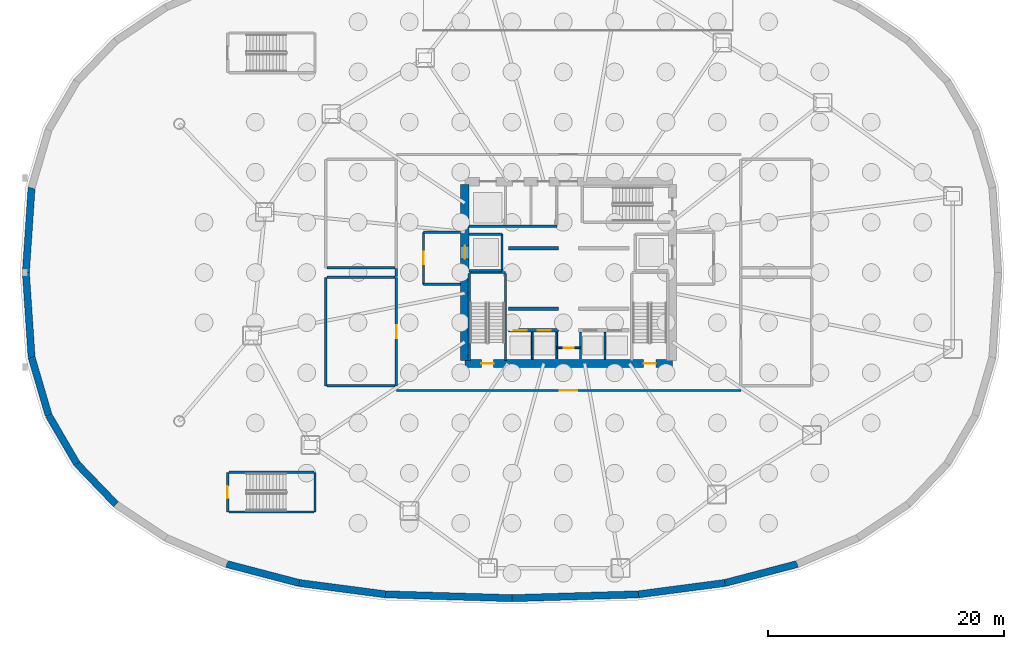
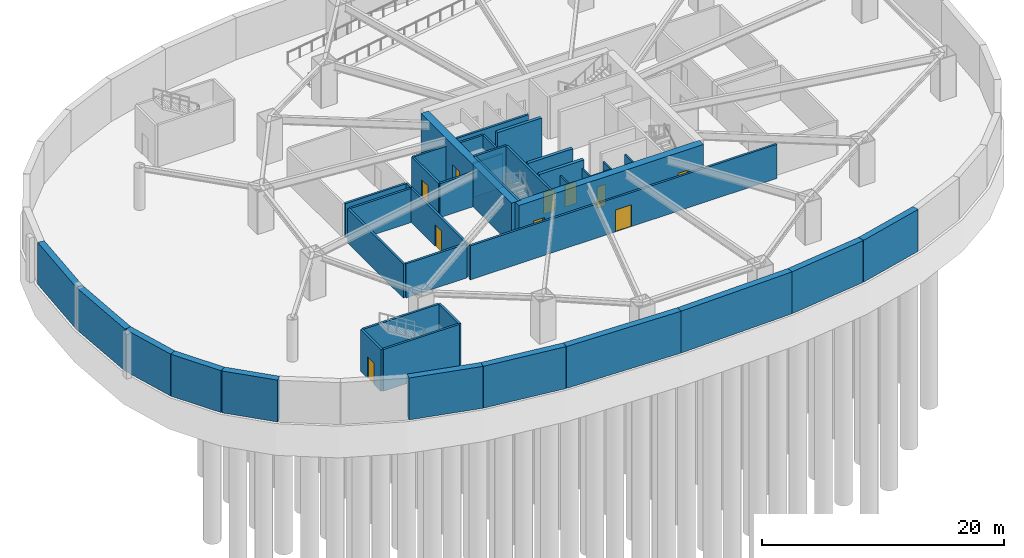
# One storey, part 3 of 10: 42 walls, 10 doors, 10 openings.
"""IFC4 building model written with IfcOpenShell, lengths in metres."""

from ifc_helpers import new_model, si_unit, direction, frame, frame_2d, origin, place, context, subcontext, project, spatial, rectangle, extrude, source, transform, mapped, material, layer, layer_set, type_object, element, fill, save


model = new_model("IFC4")

# Units and contexts
model_context = context("Model", 3, precision=1e-05, world=origin(), true_north=direction((0.0, 1.0)))
body_context = subcontext(model_context, "Body", "Model", "MODEL_VIEW")
ifc_project = project(units=[si_unit("LENGTHUNIT", "METRE"), si_unit("AREAUNIT", "SQUARE_METRE"), si_unit("VOLUMEUNIT", "CUBIC_METRE"), si_unit("PLANEANGLEUNIT", "RADIAN"), si_unit("MASSUNIT", "GRAM", prefix="KILO"), si_unit("THERMODYNAMICTEMPERATUREUNIT", "KELVIN")], contexts=[model_context])

# Site, building, storey
site_placement = place(None, origin())
site = spatial("IfcSite", under=ifc_project, at=site_placement, CompositionType="ELEMENT")
building_placement = place(site_placement, origin())
building = spatial("IfcBuilding", under=site, at=building_placement, Name="Kethvar Cultural Tower", CompositionType="ELEMENT")
storey_placement = place(building_placement, frame((0.0, 0.0, -9.0)))
storey = spatial("IfcBuildingStorey", under=building, at=storey_placement, Name="B02", CompositionType="ELEMENT", Elevation=-9.0)

# Walls
ifc_material_1 = material(Name="Concrete C45/55", Category="concrete")
ifc_layer_1 = layer(ifc_material_1, 0.60009765625, Name="Concrete C45/55", Category="concrete")
ifc_layer_set_1 = layer_set([ifc_layer_1], Name="Concrete C45/55 (600 mm)")
wall_type_1 = type_object("IfcWallType", Name="WL-BSMT-600", PredefinedType="SHEAR", material=ifc_layer_set_1)
wall_1_placement = place(storey_placement, frame((1.2822265625, 34.978515625, 0.0), z_axis=(0.0, 0.0, 1.0), x_axis=(-0.067018998283, -0.997751699507, 0.0)))
element("IfcWall", 1, at=wall_1_placement, inside=storey, type_object=wall_type_1, Name="B02 Perimeter Retaining Wall 18", PredefinedType="SHEAR", context=body_context, shape_type="SweptSolid", body=[
    extrude(rectangle(XDim=7.194580078125, YDim=0.60009765625, at=frame_2d((3.59716796875, 0.0))), origin(), (0.0, 0.0, 1.0), 4.219970703125),
])
wall_2_placement = place(storey_placement, frame((0.800048828125, 27.800048828125, 0.0), z_axis=(0.0, 0.0, 1.0), x_axis=(0.067016729273, -0.997751851914, 0.0)))
element("IfcWall", 2, at=wall_2_placement, inside=storey, type_object=wall_type_1, Name="B02 Perimeter Retaining Wall 19", PredefinedType="SHEAR", context=body_context, shape_type="SweptSolid", body=[
    extrude(rectangle(XDim=7.19482421875, YDim=0.60009765625, at=frame_2d((3.597412109375, 0.0))), origin(), (0.0, 0.0, 1.0), 4.219970703125),
])
wall_3_placement = place(storey_placement, frame((1.2822265625, 20.621337890625, 0.0), z_axis=(0.0, 0.0, 1.0), x_axis=(0.281735210535, -0.959492194416, 0.0)))
element("IfcWall", 3, at=wall_3_placement, inside=storey, type_object=wall_type_1, Name="B02 Perimeter Retaining Wall 20", PredefinedType="SHEAR", context=body_context, shape_type="SweptSolid", body=[
    extrude(rectangle(XDim=5.12060546875, YDim=0.60009765625, at=frame_2d((2.560302734375, 0.0))), origin(), (0.0, 0.0, 1.0), 4.219970703125),
])
wall_4_placement = place(storey_placement, frame((2.724853515625, 15.708251953125, 0.0), z_axis=(0.0, 0.0, 1.0), x_axis=(0.503519292696, -0.863983982423, 0.0)))
element("IfcWall", 4, at=wall_4_placement, inside=storey, type_object=wall_type_1, Name="B02 Perimeter Retaining Wall 21", PredefinedType="SHEAR", context=body_context, shape_type="SweptSolid", body=[
    extrude(rectangle(XDim=4.747802734375, YDim=0.60009765625, at=frame_2d((2.3740234375, 0.0))), origin(), (0.0, 0.0, 1.0), 4.219970703125),
])
wall_5_placement = place(storey_placement, frame((5.115478515625, 11.606201171875, 0.0), z_axis=(0.0, 0.0, 1.0), x_axis=(0.693368389068, -0.720583289455, 0.0)))
element("IfcWall", 5, at=wall_5_placement, inside=storey, type_object=wall_type_1, Name="B02 Perimeter Retaining Wall 22", PredefinedType="SHEAR", context=body_context, shape_type="SweptSolid", body=[
    extrude(rectangle(XDim=4.79052734375, YDim=0.60009765625, at=frame_2d((2.395263671875, 0.0))), origin(), (0.0, 0.0, 1.0), 4.219970703125),
])
wall_6_placement = place(storey_placement, frame((17.82666015625, 3.091064453125, 0.0), z_axis=(0.0, 0.0, 1.0), x_axis=(0.967458151093, -0.253031076914, 0.0)))
element("IfcWall", 6, at=wall_6_placement, inside=storey, type_object=wall_type_1, Name="B02 Perimeter Retaining Wall 25", PredefinedType="SHEAR", context=body_context, shape_type="SweptSolid", body=[
    extrude(rectangle(XDim=6.32958984375, YDim=0.60009765625, at=frame_2d((3.164794921875, 0.0))), origin(), (0.0, 0.0, 1.0), 4.219970703125),
])
wall_7_placement = place(storey_placement, frame((23.9501953125, 1.489501953125, 0.0), z_axis=(0.0, 0.0, 1.0), x_axis=(0.991431364125, -0.130628673076, 0.0)))
element("IfcWall", 7, at=wall_7_placement, inside=storey, type_object=wall_type_1, Name="B02 Perimeter Retaining Wall 26", PredefinedType="SHEAR", context=body_context, shape_type="SweptSolid", body=[
    extrude(rectangle(XDim=7.3974609375, YDim=0.60009765625, at=frame_2d((3.69873046875, 0.0))), origin(), (0.0, 0.0, 1.0), 4.219970703125),
])
for number, where, z_axis, x_axis, name in (
    (8, (31.2841796875, 0.523193359375, 0.0), (0.0, 0.0, 1.0), (0.999545348136, -0.030151235782, 0.0), "B02 Perimeter Retaining Wall 27"),
    (9, (42.0, 0.199951171875, 0.0), (0.0, 0.0, 1.0), (0.999545348136, 0.030151235782, 0.0), "B02 Perimeter Retaining Wall 28"),
):
    element("IfcWall", number, at=place(storey_placement, frame(where, z_axis=z_axis, x_axis=x_axis)), inside=storey, type_object=wall_type_1, Name=name, PredefinedType="SHEAR", context=body_context, shape_type="SweptSolid", body=[
        extrude(rectangle(XDim=10.720703125, YDim=0.60009765625, at=frame_2d((5.3603515625, 0.0))), origin(), (0.0, 0.0, 1.0), 4.219970703125),
    ])
wall_8_placement = place(storey_placement, frame((52.7158203125, 0.523193359375, 0.0), z_axis=(0.0, 0.0, 1.0), x_axis=(0.991431364125, 0.130628673076, 0.0)))
element("IfcWall", 10, at=wall_8_placement, inside=storey, type_object=wall_type_1, Name="B02 Perimeter Retaining Wall 29", PredefinedType="SHEAR", context=body_context, shape_type="SweptSolid", body=[
    extrude(rectangle(XDim=7.3974609375, YDim=0.60009765625, at=frame_2d((3.69873046875, 0.0))), origin(), (0.0, 0.0, 1.0), 4.219970703125),
])
wall_9_placement = place(storey_placement, frame((60.0498046875, 1.489501953125, 0.0), z_axis=(0.0, 0.0, 1.0), x_axis=(0.967458151093, 0.253031076914, 0.0)))
element("IfcWall", 11, at=wall_9_placement, inside=storey, type_object=wall_type_1, Name="B02 Perimeter Retaining Wall 30", PredefinedType="SHEAR", context=body_context, shape_type="SweptSolid", body=[
    extrude(rectangle(XDim=6.32958984375, YDim=0.60009765625, at=frame_2d((3.164794921875, 0.0))), origin(), (0.0, 0.0, 1.0), 4.219970703125),
])

# Wall, openings, doors
ifc_material_2 = material(Name="Concrete C60/75", Category="concrete")
ifc_layer_2 = layer(ifc_material_2, 0.699951171875, Name="Concrete C60/75", Category="concrete")
ifc_layer_set_2 = layer_set([ifc_layer_2], Name="Concrete C60/75 (700 mm)")
wall_type_2 = type_object("IfcWallType", Name="WL-CORE-700", PredefinedType="SHEAR", material=ifc_layer_set_2)
wall_10_placement = place(storey_placement, frame((38.0, 20.10009765625, 0.0), z_axis=(0.0, 0.0, 1.0), x_axis=(1.0, 0.0, 0.0)))
wall_10 = element("IfcWall", 12, at=wall_10_placement, inside=storey, type_object=wall_type_2, Name="B02 Core Shear Wall S", PredefinedType="SHEAR", context=body_context, shape_type="SweptSolid", body=[
    extrude(rectangle(XDim=17.60009765625, YDim=0.699951171875, at=frame_2d((8.800048828125, 0.0))), origin(), (0.0, 0.0, 1.0), 4.219970703125),
])
opening_1_placement = place(wall_10_placement, frame((1.39990234375, 0.0, 0.0)))
opening_1 = element("IfcOpeningElement", 13, at=opening_1_placement, cuts=wall_10, Name="Opening D-B02-S1", PredefinedType="OPENING", context=body_context, shape_type="SweptSolid", body=[
    extrude(rectangle(XDim=1.050048828125, YDim=2.14990234375, at=frame_2d((0.52490234375, 1.074951171875))), frame((0.0, 0.35986328125, 0.0), z_axis=(0.0, -1.0, 0.0), x_axis=(1.0, 0.0, 0.0)), (0.0, 0.0, 1.0), 0.719970703125),
])
opening_2_placement = place(wall_10_placement, frame((15.14990234375, 0.0, 0.0)))
opening_2 = element("IfcOpeningElement", 14, at=opening_2_placement, cuts=wall_10, Name="Opening D-B02-ST2", PredefinedType="OPENING", context=body_context, shape_type="SweptSolid", body=[
    extrude(rectangle(XDim=1.050048828125, YDim=2.14990234375, at=frame_2d((0.52490234375, 1.074951171875))), frame((0.0, 0.35986328125, 0.0), z_axis=(0.0, -1.0, 0.0), x_axis=(1.0, 0.0, 0.0)), (0.0, 0.0, 1.0), 0.719970703125),
])
ifc_material_3 = material(Name="Steel S355J2", Category="steel")
door_type_1 = type_object("IfcDoorType", Name="DR-FD60-1050", OperationType="NOTDEFINED", PredefinedType="DOOR", material=ifc_material_3)
shared_shape_1 = source(origin(), body_context, "Body", "SweptSolid", [
    extrude(rectangle(XDim=1.050048828125, YDim=2.14990234375, at=frame_2d((0.52490234375, 1.074951171875))), frame((0.0, 0.02490234375, 0.0), z_axis=(0.0, -1.0, 0.0), x_axis=(1.0, 0.0, 0.0)), (0.0, 0.0, 1.0), 0.050048828125),
])
door_1_placement = place(opening_1_placement, origin())
door_1 = element("IfcDoor", 15, at=door_1_placement, inside=storey, type_object=door_type_1, Name="B02 Exit Stair 1 Door", OperationType="SINGLE_SWING_LEFT", OverallHeight=2.14990234375, OverallWidth=1.050048828125, PredefinedType="DOOR", context=body_context, shape_type="MappedRepresentation", body=[
    mapped(shared_shape_1, transform((0.0, 0.0, 0.0), scale=1.0)),
])
fill(opening_1, door_1)
door_2_placement = place(opening_2_placement, origin())
door_2 = element("IfcDoor", 16, at=door_2_placement, inside=storey, type_object=door_type_1, Name="B02 Exit Stair 2 Door", OperationType="SINGLE_SWING_RIGHT", OverallHeight=2.14990234375, OverallWidth=1.050048828125, PredefinedType="DOOR", context=body_context, shape_type="MappedRepresentation", body=[
    mapped(shared_shape_1, transform((0.0, 0.0, 0.0), scale=1.0)),
])
fill(opening_2, door_2)

# Wall, opening, door
wall_11_placement = place(storey_placement, frame((38.0, 35.260009765625, 0.0), z_axis=(0.0, 0.0, 1.0), x_axis=(0.0, -1.0, 0.0)))
wall_11 = element("IfcWall", 17, at=wall_11_placement, inside=storey, type_object=wall_type_2, Name="B02 Core Shear Wall W", PredefinedType="SHEAR", context=body_context, shape_type="SweptSolid", body=[
    extrude(rectangle(XDim=14.919921875, YDim=0.699951171875, at=frame_2d((7.4599609375, 0.0))), origin(), (0.0, 0.0, 1.0), 4.219970703125),
])
opening_3_placement = place(wall_11_placement, frame((5.2099609375, 0.0, 0.0)))
opening_3 = element("IfcOpeningElement", 18, at=opening_3_placement, cuts=wall_11, Name="Opening LD-1", PredefinedType="OPENING", context=body_context, shape_type="SweptSolid", body=[
    extrude(rectangle(XDim=1.10009765625, YDim=2.199951171875, at=frame_2d((0.550048828125, 1.10009765625))), frame((0.0, 0.35986328125, 0.0), z_axis=(0.0, -1.0, 0.0), x_axis=(1.0, 0.0, 0.0)), (0.0, 0.0, 1.0), 0.719970703125),
])
door_type_2 = type_object("IfcDoorType", Name="DR-LIFT-SLIDE-1100", OperationType="NOTDEFINED", PredefinedType="DOOR", material=ifc_material_3)
shared_shape_2 = source(origin(), body_context, "Body", "SweptSolid", [
    extrude(rectangle(XDim=1.10009765625, YDim=2.199951171875, at=frame_2d((0.550048828125, 1.10009765625))), frame((0.0, 0.02490234375, 0.0), z_axis=(0.0, -1.0, 0.0), x_axis=(1.0, 0.0, 0.0)), (0.0, 0.0, 1.0), 0.050048828125),
])
door_3_placement = place(opening_3_placement, origin())
door_3 = element("IfcDoor", 19, at=door_3_placement, inside=storey, type_object=door_type_2, Name="B02 Firefighting Lift Landing Door FFL-01", OperationType="SLIDING_TO_LEFT", OverallHeight=2.199951171875, OverallWidth=1.10009765625, PredefinedType="DOOR", context=body_context, shape_type="MappedRepresentation", body=[
    mapped(shared_shape_2, transform((0.0, 0.0, 0.0), scale=1.0)),
])
fill(opening_3, door_3)

ifc_material_4 = material(Name="Gypsum Fireboard Partition")
ifc_layer_3 = layer(ifc_material_4, 0.14990234375, Name="Gypsum Fireboard Partition")
ifc_layer_set_3 = layer_set([ifc_layer_3], Name="Gypsum Fireboard Partition (150 mm)")
wall_type_3 = type_object("IfcWallType", Name="WL-FIRE-150", PredefinedType="PARTITIONING", material=ifc_layer_set_3)
wall_12_placement = place(storey_placement, frame((45.800048828125, 21.419921875, 0.0), z_axis=(0.0, 0.0, 1.0), x_axis=(1.0, 0.0, 0.0)))
wall_12 = element("IfcWall", 20, at=wall_12_placement, inside=storey, type_object=wall_type_3, Name="B02 Core Riser Wall", PredefinedType="PARTITIONING", context=body_context, shape_type="SweptSolid", body=[
    extrude(rectangle(XDim=2.0, YDim=0.14990234375, at=frame_2d((1.0, 0.0))), origin(), (0.0, 0.0, 1.0), 3.43310546875),
])
opening_4_placement = place(wall_12_placement, frame((0.574951171875, 0.0, 0.0)))
opening_4 = element("IfcOpeningElement", 21, at=opening_4_placement, cuts=wall_12, Name="Opening D-B02-RS", PredefinedType="OPENING", context=body_context, shape_type="SweptSolid", body=[
    extrude(rectangle(XDim=0.85009765625, YDim=2.14990234375, at=frame_2d((0.425048828125, 1.074951171875))), frame((0.0, 0.0849609375, 0.0), z_axis=(0.0, -1.0, 0.0), x_axis=(1.0, 0.0, 0.0)), (0.0, 0.0, 1.0), 0.169921875),
])
door_type_3 = type_object("IfcDoorType", Name="DR-FD30-850", OperationType="NOTDEFINED", PredefinedType="DOOR", material=ifc_material_3)
shared_shape_3 = source(origin(), body_context, "Body", "SweptSolid", [
    extrude(rectangle(XDim=0.85009765625, YDim=2.14990234375, at=frame_2d((0.425048828125, 1.074951171875))), frame((0.0, 0.02490234375, 0.0), z_axis=(0.0, -1.0, 0.0), x_axis=(1.0, 0.0, 0.0)), (0.0, 0.0, 1.0), 0.050048828125),
])
door_4_placement = place(opening_4_placement, origin())
door_4 = element("IfcDoor", 22, at=door_4_placement, inside=storey, type_object=door_type_3, Name="B02 Service Riser Access Door", OperationType="SINGLE_SWING_LEFT", OverallHeight=2.14990234375, OverallWidth=0.85009765625, PredefinedType="DOOR", context=body_context, shape_type="MappedRepresentation", body=[
    mapped(shared_shape_3, transform((0.0, 0.0, 0.0), scale=1.0)),
])
fill(opening_4, door_4)

# Walls
for number, where, z_axis, x_axis, name in (
    (23, (45.800048828125, 20.47998046875, 0.0), (0.0, 0.0, 1.0), (0.0, 1.0, 0.0), "B02 Core Riser West Wall"),
    (24, (47.800048828125, 20.47998046875, 0.0), (0.0, 0.0, 1.0), (0.0, 1.0, 0.0), "B02 Core Riser East Wall"),
):
    element("IfcWall", number, at=place(storey_placement, frame(where, z_axis=z_axis, x_axis=x_axis)), inside=storey, type_object=wall_type_3, Name=name, PredefinedType="PARTITIONING", context=body_context, shape_type="SweptSolid", body=[
        extrude(rectangle(XDim=2.239990234375, YDim=0.14990234375, at=frame_2d((1.1201171875, 0.0))), origin(), (0.0, 0.0, 1.0), 3.43310546875),
    ])
for number, where, z_axis, x_axis, name in (
    (25, (43.72509765625, 20.4599609375, 0.0), (0.0, 0.0, 1.0), (0.0, 1.0, 0.0), "B02 Low-Rise Lift Shaft Divider W"),
    (26, (49.875, 20.4599609375, 0.0), (0.0, 0.0, 1.0), (0.0, 1.0, 0.0), "B02 Low-Rise Lift Shaft Divider E"),
):
    element("IfcWall", number, at=place(storey_placement, frame(where, z_axis=z_axis, x_axis=x_axis)), inside=storey, type_object=wall_type_3, Name=name, PredefinedType="PARTITIONING", context=body_context, shape_type="SweptSolid", body=[
        extrude(rectangle(XDim=2.27001953125, YDim=0.14990234375, at=frame_2d((1.135009765625, 0.0))), origin(), (0.0, 0.0, 1.0), 3.43310546875),
    ])
ifc_material_5 = material(Name="Concrete C40/50", Category="concrete")
ifc_layer_4 = layer(ifc_material_5, 0.199951171875, Name="Concrete C40/50", Category="concrete")
ifc_layer_set_4 = layer_set([ifc_layer_4], Name="Concrete C40/50 (200 mm)")
wall_type_4 = type_object("IfcWallType", Name="WL-FIRE-200", PredefinedType="PARTITIONING", material=ifc_layer_set_4)
wall_13_placement = place(storey_placement, frame((41.14990234375, 27.949951171875, 0.0), z_axis=(0.0, 0.0, 1.0), x_axis=(0.0, 1.0, 0.0)))
element("IfcWall", 27, at=wall_13_placement, inside=storey, type_object=wall_type_4, Name="B02 FFL-01 Shaft Inner Wall", PredefinedType="PARTITIONING", context=body_context, shape_type="SweptSolid", body=[
    extrude(rectangle(XDim=3.10009765625, YDim=0.199951171875, at=frame_2d((1.550048828125, 0.0))), origin(), (0.0, 0.0, 1.0), 3.43310546875),
])
for number, where, z_axis, x_axis, name in (
    (28, (38.360107421875, 27.949951171875, 0.0), (0.0, 0.0, 1.0), (1.0, 0.0, 0.0), "B02 FFL-01 Shaft South Wall"),
    (29, (38.360107421875, 31.050048828125, 0.0), (0.0, 0.0, 1.0), (1.0, 0.0, 0.0), "B02 FFL-01 Shaft North Wall"),
):
    element("IfcWall", number, at=place(storey_placement, frame(where, z_axis=z_axis, x_axis=x_axis)), inside=storey, type_object=wall_type_4, Name=name, PredefinedType="PARTITIONING", context=body_context, shape_type="SweptSolid", body=[
        extrude(rectangle(XDim=2.789794921875, YDim=0.199951171875, at=frame_2d((1.39501953125, 0.0))), origin(), (0.0, 0.0, 1.0), 3.43310546875),
    ])

# Wall, opening, door
wall_14_placement = place(storey_placement, frame((34.5, 31.199951171875, 0.0), z_axis=(0.0, 0.0, 1.0), x_axis=(0.0, -1.0, 0.0)))
wall_14 = element("IfcWall", 30, at=wall_14_placement, inside=storey, type_object=wall_type_4, Name="B02 Firefighting Lobby 1 Wall", PredefinedType="PARTITIONING", context=body_context, shape_type="SweptSolid", body=[
    extrude(rectangle(XDim=4.39990234375, YDim=0.199951171875, at=frame_2d((2.199951171875, 0.0))), origin(), (0.0, 0.0, 1.0), 3.43310546875),
])
opening_5_placement = place(wall_14_placement, frame((1.64990234375, 0.0, 0.0)))
opening_5 = element("IfcOpeningElement", 31, at=opening_5_placement, cuts=wall_14, Name="Opening D-B02-F1", PredefinedType="OPENING", context=body_context, shape_type="SweptSolid", body=[
    extrude(rectangle(XDim=1.050048828125, YDim=2.14990234375, at=frame_2d((0.52490234375, 1.074951171875))), frame((0.0, 0.10986328125, 0.0), z_axis=(0.0, -1.0, 0.0), x_axis=(1.0, 0.0, 0.0)), (0.0, 0.0, 1.0), 0.219970703125),
])
door_5_placement = place(opening_5_placement, origin())
door_5 = element("IfcDoor", 32, at=door_5_placement, inside=storey, type_object=door_type_1, Name="B02 Firefighting Lobby 1 Fire Door", OperationType="SINGLE_SWING_LEFT", OverallHeight=2.14990234375, OverallWidth=1.050048828125, PredefinedType="DOOR", context=body_context, shape_type="MappedRepresentation", body=[
    mapped(shared_shape_1, transform((0.0, 0.0, 0.0), scale=1.0)),
])
fill(opening_5, door_5)

# Walls
for number, where, z_axis, x_axis, name in (
    (33, (34.5, 26.800048828125, 0.0), (0.0, 0.0, 1.0), (1.0, 0.0, 0.0), "B02 FF Lobby 1 South Wall"),
    (34, (34.5, 31.199951171875, 0.0), (0.0, 0.0, 1.0), (1.0, 0.0, 0.0), "B02 FF Lobby 1 North Wall"),
):
    element("IfcWall", number, at=place(storey_placement, frame(where, z_axis=z_axis, x_axis=x_axis)), inside=storey, type_object=wall_type_4, Name=name, PredefinedType="PARTITIONING", context=body_context, shape_type="SweptSolid", body=[
        extrude(rectangle(XDim=3.139892578125, YDim=0.199951171875, at=frame_2d((1.56982421875, 0.0))), origin(), (0.0, 0.0, 1.0), 3.43310546875),
    ])
wall_15_placement = place(storey_placement, frame((38.360107421875, 31.72998046875, 0.0), z_axis=(0.0, 0.0, 1.0), x_axis=(1.0, 0.0, 0.0)))
element("IfcWall", 35, at=wall_15_placement, inside=storey, type_object=wall_type_4, Name="B02 North Core Sanitary South Wall", PredefinedType="PARTITIONING", context=body_context, shape_type="SweptSolid", body=[
    extrude(rectangle(XDim=7.43994140625, YDim=0.199951171875, at=frame_2d((3.719970703125, 0.0))), origin(), (0.0, 0.0, 1.0), 3.43310546875),
])

# Wall, opening, door
wall_16_placement = place(storey_placement, frame((32.199951171875, 18.199951171875, 0.0), z_axis=(0.0, 0.0, 1.0), x_axis=(0.0, 1.0, 0.0)))
wall_16 = element("IfcWall", 36, at=wall_16_placement, inside=storey, type_object=wall_type_4, Name="B02 Fire Water Reserve Tank Room Front Wall", PredefinedType="PARTITIONING", context=body_context, shape_type="SweptSolid", body=[
    extrude(rectangle(XDim=9.199951171875, YDim=0.199951171875, at=frame_2d((4.60009765625, 0.0))), origin(), (0.0, 0.0, 1.0), 3.43310546875),
])
opening_6_placement = place(wall_16_placement, frame((4.050048828125, 0.0, 0.0)))
opening_6 = element("IfcOpeningElement", 37, at=opening_6_placement, cuts=wall_16, Name="Opening D-B02-B1", PredefinedType="OPENING", context=body_context, shape_type="SweptSolid", body=[
    extrude(rectangle(XDim=1.10009765625, YDim=2.14990234375, at=frame_2d((0.550048828125, 1.074951171875))), frame((0.0, 0.10986328125, 0.0), z_axis=(0.0, -1.0, 0.0), x_axis=(1.0, 0.0, 0.0)), (0.0, 0.0, 1.0), 0.219970703125),
])
door_type_4 = type_object("IfcDoorType", Name="DR-FD60-1100", OperationType="NOTDEFINED", PredefinedType="DOOR", material=ifc_material_3)
shared_shape_4 = source(origin(), body_context, "Body", "SweptSolid", [
    extrude(rectangle(XDim=1.10009765625, YDim=2.14990234375, at=frame_2d((0.550048828125, 1.074951171875))), frame((0.0, 0.02490234375, 0.0), z_axis=(0.0, -1.0, 0.0), x_axis=(1.0, 0.0, 0.0)), (0.0, 0.0, 1.0), 0.050048828125),
])
door_6_placement = place(opening_6_placement, origin())
door_6 = element("IfcDoor", 38, at=door_6_placement, inside=storey, type_object=door_type_4, Name="B02 Fire Water Reserve Tank Room Door", OperationType="SINGLE_SWING_LEFT", OverallHeight=2.14990234375, OverallWidth=1.10009765625, PredefinedType="DOOR", context=body_context, shape_type="MappedRepresentation", body=[
    mapped(shared_shape_4, transform((0.0, 0.0, 0.0), scale=1.0)),
])
fill(opening_6, door_6)

# Walls
wall_17_placement = place(storey_placement, frame((26.199951171875, 18.199951171875, 0.0), z_axis=(0.0, 0.0, 1.0), x_axis=(0.0, 1.0, 0.0)))
element("IfcWall", 39, at=wall_17_placement, inside=storey, type_object=wall_type_4, Name="B02 Fire Water Reserve Tank Room Back Wall", PredefinedType="PARTITIONING", context=body_context, shape_type="SweptSolid", body=[
    extrude(rectangle(XDim=9.199951171875, YDim=0.199951171875, at=frame_2d((4.60009765625, 0.0))), origin(), (0.0, 0.0, 1.0), 3.43310546875),
])
for number, where, z_axis, x_axis, name in (
    (40, (26.31005859375, 18.199951171875, 0.0), (0.0, 0.0, 1.0), (1.0, 0.0, 0.0), "B02 Fire Water Reserve Tank Room South Wall"),
    (41, (26.31005859375, 27.39990234375, 0.0), (0.0, 0.0, 1.0), (1.0, 0.0, 0.0), "B02 Fire Water Reserve Tank Room North Wall"),
    (42, (26.31005859375, 28.199951171875, 0.0), (0.0, 0.0, 1.0), (1.0, 0.0, 0.0), "B02 Primary Chiller Plant Room South Wall"),
):
    element("IfcWall", number, at=place(storey_placement, frame(where, z_axis=z_axis, x_axis=x_axis)), inside=storey, type_object=wall_type_4, Name=name, PredefinedType="PARTITIONING", context=body_context, shape_type="SweptSolid", body=[
        extrude(rectangle(XDim=5.780029296875, YDim=0.199951171875, at=frame_2d((2.89013671875, 0.0))), origin(), (0.0, 0.0, 1.0), 3.43310546875),
    ])
wall_18_placement = place(storey_placement, frame((32.199951171875, 27.449951171875, 0.0), z_axis=(0.0, 0.0, 1.0), x_axis=(0.0, 1.0, 0.0)))
element("IfcWall", 43, at=wall_18_placement, inside=storey, type_object=wall_type_4, Name="B02 Plant Corridor Gap Wall W", PredefinedType="PARTITIONING", context=body_context, shape_type="SweptSolid", body=[
    extrude(rectangle(XDim=0.699951171875, YDim=0.199951171875, at=frame_2d((0.35009765625, 0.0))), origin(), (0.0, 0.0, 1.0), 3.43310546875),
])

# Wall, opening, door
wall_19_placement = place(storey_placement, frame((32.199951171875, 17.800048828125, 0.0), z_axis=(0.0, 0.0, 1.0), x_axis=(1.0, 0.0, 0.0)))
wall_19 = element("IfcWall", 44, at=wall_19_placement, inside=storey, type_object=wall_type_4, Name="B02 Basement Vestibule Wall S", PredefinedType="PARTITIONING", context=body_context, shape_type="SweptSolid", body=[
    extrude(rectangle(XDim=29.199951171875, YDim=0.199951171875, at=frame_2d((14.60009765625, 0.0))), origin(), (0.0, 0.0, 1.0), 3.43310546875),
])
opening_7_placement = place(wall_19_placement, frame((13.85009765625, 0.0, 0.0)))
opening_7 = element("IfcOpeningElement", 45, at=opening_7_placement, cuts=wall_19, Name="Opening D-B02-CPS", PredefinedType="OPENING", context=body_context, shape_type="SweptSolid", body=[
    extrude(rectangle(XDim=1.5, YDim=2.199951171875, at=frame_2d((0.75, 1.10009765625))), frame((0.0, 0.10986328125, 0.0), z_axis=(0.0, -1.0, 0.0), x_axis=(1.0, 0.0, 0.0)), (0.0, 0.0, 1.0), 0.219970703125),
])
ifc_material_6 = material(Name="Architectural Oak Timber", Category="wood")
door_type_5 = type_object("IfcDoorType", Name="DR-DBL-FD60-1500", OperationType="DOUBLE_DOOR_SINGLE_SWING", PredefinedType="DOOR", material=ifc_material_6)
shared_shape_5 = source(origin(), body_context, "Body", "SweptSolid", [
    extrude(rectangle(XDim=1.5, YDim=2.199951171875, at=frame_2d((0.75, 1.10009765625))), frame((0.0, 0.02490234375, 0.0), z_axis=(0.0, -1.0, 0.0), x_axis=(1.0, 0.0, 0.0)), (0.0, 0.0, 1.0), 0.050048828125),
])
door_7_placement = place(opening_7_placement, origin())
door_7 = element("IfcDoor", 46, at=door_7_placement, inside=storey, type_object=door_type_5, Name="B02 Car Park Vestibule Door S", OperationType="DOUBLE_DOOR_SINGLE_SWING", OverallHeight=2.199951171875, OverallWidth=1.5, PredefinedType="DOOR", context=body_context, shape_type="MappedRepresentation", body=[
    mapped(shared_shape_5, transform((0.0, 0.0, 0.0), scale=1.0)),
])
fill(opening_7, door_7)

# Wall, openings, doors
ifc_material_7 = material(Name="Concrete C50/60", Category="concrete")
ifc_layer_5 = layer(ifc_material_7, 0.300048828125, Name="Concrete C50/60", Category="concrete")
ifc_layer_set_5 = layer_set([ifc_layer_5], Name="Concrete C50/60 (300 mm)")
wall_type_5 = type_object("IfcWallType", Name="WL-SHAFT-300", PredefinedType="SHEAR", material=ifc_layer_set_5)
wall_20_placement = place(storey_placement, frame((41.699951171875, 22.89990234375, 0.0), z_axis=(0.0, 0.0, 1.0), x_axis=(1.0, 0.0, 0.0)))
wall_20 = element("IfcWall", 47, at=wall_20_placement, inside=storey, type_object=wall_type_5, Name="B02 Core Lift Spine Wall MID1W", PredefinedType="SHEAR", context=body_context, shape_type="SweptSolid", body=[
    extrude(rectangle(XDim=4.25, YDim=0.300048828125, at=frame_2d((2.125, 0.0))), origin(), (0.0, 0.0, 1.0), 4.219970703125),
])
opening_8_placement = place(wall_20_placement, frame((0.449951171875, 0.0, 0.0)))
opening_8 = element("IfcOpeningElement", 48, at=opening_8_placement, cuts=wall_20, Name="Opening LD-L1", PredefinedType="OPENING", context=body_context, shape_type="SweptSolid", body=[
    extrude(rectangle(XDim=1.10009765625, YDim=2.199951171875, at=frame_2d((0.550048828125, 1.10009765625))), frame((0.0, 0.159912109375, 0.0), z_axis=(0.0, -1.0, 0.0), x_axis=(1.0, 0.0, 0.0)), (0.0, 0.0, 1.0), 0.320068359375),
])
opening_9_placement = place(wall_20_placement, frame((2.5, 0.0, 0.0)))
opening_9 = element("IfcOpeningElement", 49, at=opening_9_placement, cuts=wall_20, Name="Opening LD-L2", PredefinedType="OPENING", context=body_context, shape_type="SweptSolid", body=[
    extrude(rectangle(XDim=1.10009765625, YDim=2.199951171875, at=frame_2d((0.550048828125, 1.10009765625))), frame((0.0, 0.159912109375, 0.0), z_axis=(0.0, -1.0, 0.0), x_axis=(1.0, 0.0, 0.0)), (0.0, 0.0, 1.0), 0.320068359375),
])
door_8_placement = place(opening_8_placement, origin())
door_8 = element("IfcDoor", 50, at=door_8_placement, inside=storey, type_object=door_type_2, Name="B02 Low-Rise Lift Landing Door L1", OperationType="SLIDING_TO_LEFT", OverallHeight=2.199951171875, OverallWidth=1.10009765625, PredefinedType="DOOR", context=body_context, shape_type="MappedRepresentation", body=[
    mapped(shared_shape_2, transform((0.0, 0.0, 0.0), scale=1.0)),
])
fill(opening_8, door_8)
door_9_placement = place(opening_9_placement, origin())
door_9 = element("IfcDoor", 51, at=door_9_placement, inside=storey, type_object=door_type_2, Name="B02 Low-Rise Lift Landing Door L2", OperationType="SLIDING_TO_LEFT", OverallHeight=2.199951171875, OverallWidth=1.10009765625, PredefinedType="DOOR", context=body_context, shape_type="MappedRepresentation", body=[
    mapped(shared_shape_2, transform((0.0, 0.0, 0.0), scale=1.0)),
])
fill(opening_9, door_9)

# Walls
for number, where, z_axis, x_axis, name in (
    (52, (41.699951171875, 24.75, 0.0), (0.0, 0.0, 1.0), (1.0, 0.0, 0.0), "B02 Core Lift Spine Wall MID2W"),
    (53, (41.699951171875, 29.85009765625, 0.0), (0.0, 0.0, 1.0), (1.0, 0.0, 0.0), "B02 Core Lift Spine Wall MID3W"),
):
    element("IfcWall", number, at=place(storey_placement, frame(where, z_axis=z_axis, x_axis=x_axis)), inside=storey, type_object=wall_type_5, Name=name, PredefinedType="SHEAR", context=body_context, shape_type="SweptSolid", body=[
        extrude(rectangle(XDim=4.25, YDim=0.300048828125, at=frame_2d((2.125, 0.0))), origin(), (0.0, 0.0, 1.0), 4.219970703125),
    ])
ifc_layer_6 = layer(ifc_material_7, 0.199951171875, Name="Concrete C50/60", Category="concrete")
ifc_layer_set_6 = layer_set([ifc_layer_6], Name="Concrete C50/60 (200 mm)")
wall_type_6 = type_object("IfcWallType", Name="WL-STSHAFT-200", PredefinedType="SHEAR", material=ifc_layer_set_6)
wall_21_placement = place(storey_placement, frame((38.389892578125, 27.800048828125, 0.0), z_axis=(0.0, 0.0, 1.0), x_axis=(1.0, 0.0, 0.0)))
element("IfcWall", 54, at=wall_21_placement, inside=storey, type_object=wall_type_6, Name="B02 ST-01 Stair Shaft Wall FAR", PredefinedType="SHEAR", context=body_context, shape_type="SweptSolid", body=[
    extrude(rectangle(XDim=3.06005859375, YDim=0.199951171875, at=frame_2d((1.530029296875, 0.0))), origin(), (0.0, 0.0, 1.0), 4.219970703125),
])
for number, where, z_axis, x_axis, name in (
    (55, (41.449951171875, 27.699951171875, 0.0), (0.0, 0.0, 1.0), (0.0, -1.0, 0.0), "B02 ST-01 Stair Shaft Wall LEFT"),
    (56, (38.389892578125, 20.35009765625, 0.0), (0.0, 0.0, 1.0), (0.0, 1.0, 0.0), "B02 ST-01 Stair Shaft Wall RIGHT"),
):
    element("IfcWall", number, at=place(storey_placement, frame(where, z_axis=z_axis, x_axis=x_axis)), inside=storey, type_object=wall_type_6, Name=name, PredefinedType="SHEAR", context=body_context, shape_type="SweptSolid", body=[
        extrude(rectangle(XDim=7.349853515625, YDim=0.199951171875, at=frame_2d((3.6748046875, 0.0))), origin(), (0.0, 0.0, 1.0), 4.219970703125),
    ])

# Wall, opening, door
wall_22_placement = place(storey_placement, frame((17.89990234375, 7.5, 0.0), z_axis=(0.0, 0.0, 1.0), x_axis=(0.0, 1.0, 0.0)))
wall_22 = element("IfcWall", 57, at=wall_22_placement, inside=storey, type_object=wall_type_6, Name="B02 ST-04 Stair Shaft Wall NEAR", PredefinedType="SHEAR", context=body_context, shape_type="SweptSolid", body=[
    extrude(rectangle(XDim=3.360107421875, YDim=0.199951171875, at=frame_2d((1.68017578125, 0.0))), origin(), (0.0, 0.0, 1.0), 4.219970703125),
])
opening_10_placement = place(wall_22_placement, frame((1.155029296875, 0.0, 0.0)))
opening_10 = element("IfcOpeningElement", 58, at=opening_10_placement, cuts=wall_22, Name="Opening D-B02-ST4", PredefinedType="OPENING", context=body_context, shape_type="SweptSolid", body=[
    extrude(rectangle(XDim=1.050048828125, YDim=2.14990234375, at=frame_2d((0.52490234375, 1.074951171875))), frame((0.0, 0.10986328125, 0.0), z_axis=(0.0, -1.0, 0.0), x_axis=(1.0, 0.0, 0.0)), (0.0, 0.0, 1.0), 0.219970703125),
])
door_10_placement = place(opening_10_placement, origin())
door_10 = element("IfcDoor", 59, at=door_10_placement, inside=storey, type_object=door_type_1, Name="B02 ST-04 Stair Landing Fire Door", OperationType="SINGLE_SWING_LEFT", OverallHeight=2.14990234375, OverallWidth=1.050048828125, PredefinedType="DOOR", context=body_context, shape_type="MappedRepresentation", body=[
    mapped(shared_shape_1, transform((0.0, 0.0, 0.0), scale=1.0)),
])
fill(opening_10, door_10)

# Walls
wall_23_placement = place(storey_placement, frame((25.300048828125, 10.860107421875, 0.0), z_axis=(0.0, 0.0, 1.0), x_axis=(0.0, -1.0, 0.0)))
element("IfcWall", 60, at=wall_23_placement, inside=storey, type_object=wall_type_6, Name="B02 ST-04 Stair Shaft Wall FAR", PredefinedType="SHEAR", context=body_context, shape_type="SweptSolid", body=[
    extrude(rectangle(XDim=3.360107421875, YDim=0.199951171875, at=frame_2d((1.68017578125, 0.0))), origin(), (0.0, 0.0, 1.0), 4.219970703125),
])
for number, where, z_axis, x_axis, name in (
    (61, (25.199951171875, 7.5, 0.0), (0.0, 0.0, 1.0), (-1.0, 0.0, 0.0), "B02 ST-04 Stair Shaft Wall LEFT"),
    (62, (18.0, 10.860107421875, 0.0), (0.0, 0.0, 1.0), (1.0, 0.0, 0.0), "B02 ST-04 Stair Shaft Wall RIGHT"),
):
    element("IfcWall", number, at=place(storey_placement, frame(where, z_axis=z_axis, x_axis=x_axis)), inside=storey, type_object=wall_type_6, Name=name, PredefinedType="SHEAR", context=body_context, shape_type="SweptSolid", body=[
        extrude(rectangle(XDim=7.199951171875, YDim=0.199951171875, at=frame_2d((3.60009765625, 0.0))), origin(), (0.0, 0.0, 1.0), 4.219970703125),
    ])

save(model, "model.ifc")
